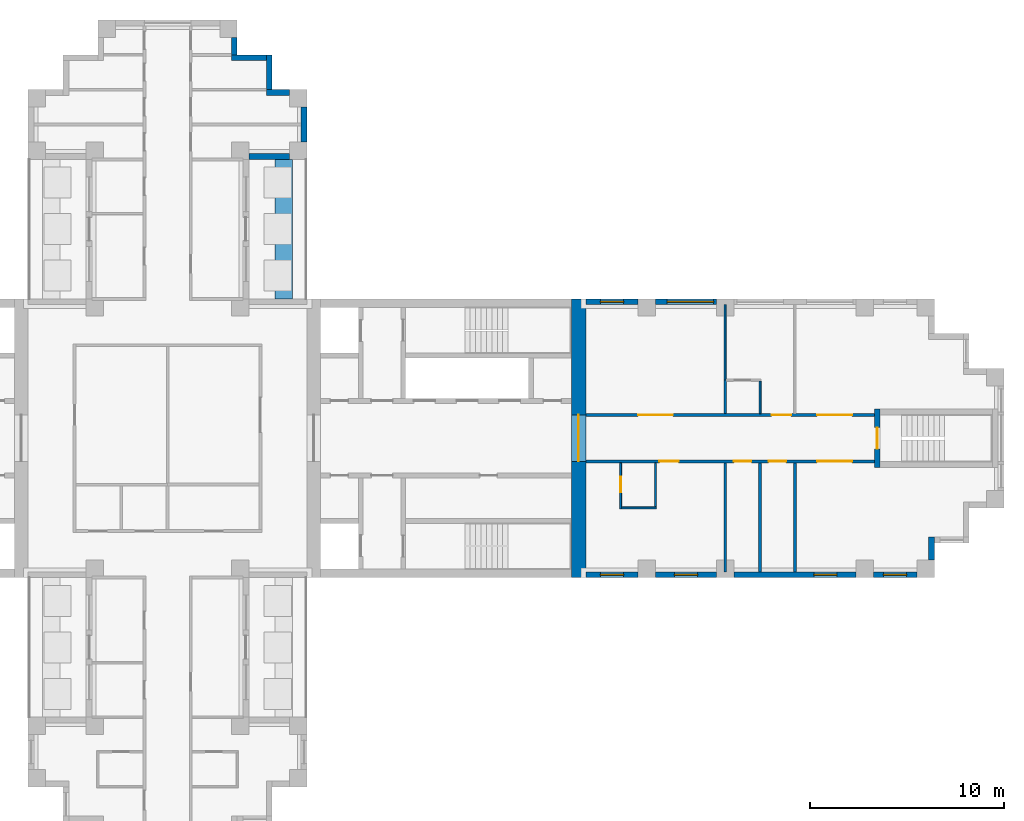
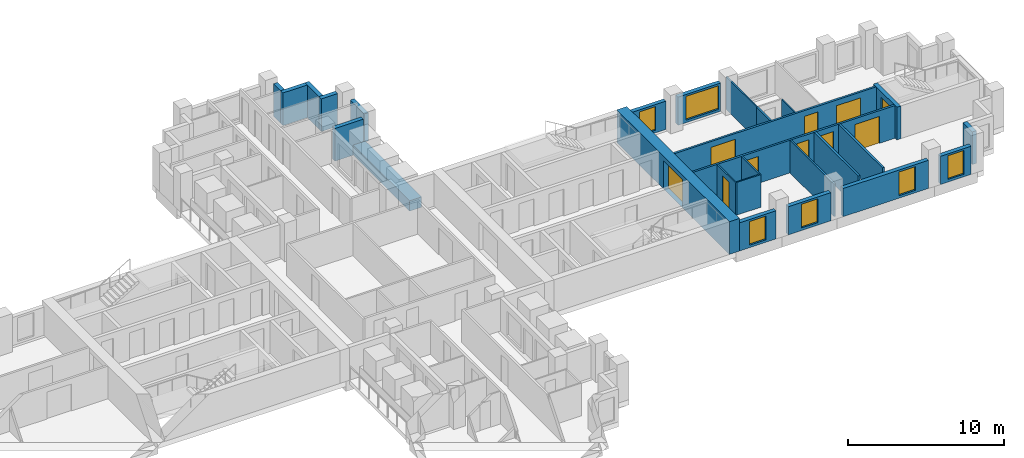
# One storey, part 8 of 12: 27 walls, 10 doors, 6 windows, 16 openings.
"""IFC4 building model written with IfcOpenShell, lengths in metres."""

from ifc_helpers import new_model, si_unit, direction, frame, frame_2d, origin, place, context, subcontext, project, spatial, rectangle, extrude, material, layer, layer_set, type_object, element, fill, save


model = new_model("IFC4")

# Units and contexts
model_context = context("Model", 3, precision=1e-05, world=origin(), true_north=direction((0.0, 1.0)))
body_context = subcontext(model_context, "Body", "Model", "MODEL_VIEW")
ifc_project = project(units=[si_unit("LENGTHUNIT", "METRE"), si_unit("AREAUNIT", "SQUARE_METRE"), si_unit("VOLUMEUNIT", "CUBIC_METRE"), si_unit("PLANEANGLEUNIT", "RADIAN"), si_unit("MASSUNIT", "GRAM", prefix="KILO")], contexts=[model_context])

# Site, building, storey
site_placement = place(None, origin())
site = spatial("IfcSite", under=ifc_project, at=site_placement, CompositionType="ELEMENT")
building_placement = place(site_placement, origin())
building = spatial("IfcBuilding", under=site, at=building_placement, Name="Fustian Cross Tower", CompositionType="ELEMENT")
storey_placement = place(building_placement, frame((0.0, 0.0, 159.300048828125)))
storey = spatial("IfcBuildingStorey", under=building, at=storey_placement, Name="L50", CompositionType="ELEMENT", Elevation=159.300048828125)

# Wall, openings, doors
ifc_material_1 = material(Name="Plasterboard on steel stud", Category="steel")
ifc_layer_1 = layer(ifc_material_1, 0.14990234375)
ifc_layer_set_1 = layer_set([ifc_layer_1], Name="Plasterboard on steel stud")
wall_type_1 = type_object("IfcWallType", Name="COMPARTMENT WALL 150 EI 60", PredefinedType="PARTITIONING", material=ifc_layer_set_1)
wall_1_placement = place(storey_placement, frame((21.60009765625, -1.199951171875, 0.0), z_axis=(0.0, 0.0, 1.0), x_axis=(1.0, 0.0, 0.0)))
wall_1 = element("IfcWall", 1, at=wall_1_placement, inside=storey, type_object=wall_type_1, Name="Partition 45", PredefinedType="PARTITIONING", context=body_context, shape_type="SweptSolid", body=[
    extrude(rectangle(XDim=14.89990234375, YDim=0.14990234375, at=frame_2d((7.449951171875, 0.0))), origin(), (0.0, 0.0, 1.0), 2.550048828125),
])
opening_1_placement = place(wall_1_placement, frame((3.800048828125, 0.0, 0.0)))
opening_1 = element("IfcOpeningElement", 2, at=opening_1_placement, cuts=wall_1, Name="Opening D22011", PredefinedType="OPENING", context=body_context, shape_type="SweptSolid", body=[
    extrude(rectangle(XDim=1.0, YDim=2.10009765625, at=frame_2d((0.5, 1.050048828125))), frame((0.0, 0.0849609375, 0.0), z_axis=(0.0, -1.0, 0.0), x_axis=(1.0, 0.0, 0.0)), (0.0, 0.0, 1.0), 0.169921875),
])
opening_2_placement = place(wall_1_placement, frame((7.64990234375, 0.0, 0.0)))
opening_2 = element("IfcOpeningElement", 3, at=opening_2_placement, cuts=wall_1, Name="Opening D22012", PredefinedType="OPENING", context=body_context, shape_type="SweptSolid", body=[
    extrude(rectangle(XDim=0.89990234375, YDim=2.10009765625, at=frame_2d((0.449951171875, 1.050048828125))), frame((0.0, 0.0849609375, 0.0), z_axis=(0.0, -1.0, 0.0), x_axis=(1.0, 0.0, 0.0)), (0.0, 0.0, 1.0), 0.169921875),
])
opening_3_placement = place(wall_1_placement, frame((9.449951171875, 0.0, 0.0)))
opening_3 = element("IfcOpeningElement", 4, at=opening_3_placement, cuts=wall_1, Name="Opening D22013", PredefinedType="OPENING", context=body_context, shape_type="SweptSolid", body=[
    extrude(rectangle(XDim=0.89990234375, YDim=2.10009765625, at=frame_2d((0.449951171875, 1.050048828125))), frame((0.0, 0.0849609375, 0.0), z_axis=(0.0, -1.0, 0.0), x_axis=(1.0, 0.0, 0.0)), (0.0, 0.0, 1.0), 0.169921875),
])
opening_4_placement = place(wall_1_placement, frame((11.949951171875, 0.0, 0.0)))
opening_4 = element("IfcOpeningElement", 5, at=opening_4_placement, cuts=wall_1, Name="Opening D22014", PredefinedType="OPENING", context=body_context, shape_type="SweptSolid", body=[
    extrude(rectangle(XDim=1.800048828125, YDim=2.10009765625, at=frame_2d((0.89990234375, 1.050048828125))), frame((0.0, 0.0849609375, 0.0), z_axis=(0.0, -1.0, 0.0), x_axis=(1.0, 0.0, 0.0)), (0.0, 0.0, 1.0), 0.169921875),
])
ifc_material_2 = material(Name="Timber fire door set", Category="wood")
door_type_1 = type_object("IfcDoorType", Name="FIRE DOUBLE DOOR 1800 FD30S", OperationType="DOUBLE_DOOR_DOUBLE_SWING", PredefinedType="DOOR", material=ifc_material_2)
door_1_placement = place(opening_4_placement, origin())
door_1 = element("IfcDoor", 6, at=door_1_placement, inside=storey, type_object=door_type_1, Name="Door D22014", OperationType="DOUBLE_DOOR_DOUBLE_SWING", OverallHeight=2.10009765625, OverallWidth=1.800048828125, PredefinedType="DOOR", context=body_context, shape_type="SweptSolid", body=[
    extrude(rectangle(XDim=1.800048828125, YDim=2.10009765625, at=frame_2d((0.89990234375, 1.050048828125))), frame((0.0, 0.02490234375, 0.0), z_axis=(0.0, -1.0, 0.0), x_axis=(1.0, 0.0, 0.0)), (0.0, 0.0, 1.0), 0.050048828125),
])
fill(opening_4, door_1)
ifc_material_3 = material(Name="Timber fire door set", Category="wood")
door_type_2 = type_object("IfcDoorType", Name="FIRE SWING DOOR 1000 FD30S", OperationType="SINGLE_SWING_LEFT", PredefinedType="DOOR", material=ifc_material_3)
door_2_placement = place(opening_1_placement, frame((1.0, 0.0, 0.0), z_axis=(0.0, 0.0, 1.0), x_axis=(-1.0, 0.0, 0.0)))
door_2 = element("IfcDoor", 7, at=door_2_placement, inside=storey, type_object=door_type_2, Name="Door D22011", OperationType="SINGLE_SWING_RIGHT", OverallHeight=2.10009765625, OverallWidth=1.0, PredefinedType="DOOR", context=body_context, shape_type="SweptSolid", body=[
    extrude(rectangle(XDim=1.0, YDim=2.10009765625, at=frame_2d((0.5, 1.050048828125))), frame((0.0, 0.02490234375, 0.0), z_axis=(0.0, -1.0, 0.0), x_axis=(1.0, 0.0, 0.0)), (0.0, 0.0, 1.0), 0.050048828125),
])
fill(opening_1, door_2)
ifc_material_4 = material(Name="Timber fire door set", Category="wood")
door_type_3 = type_object("IfcDoorType", Name="FIRE SWING DOOR 900 FD30S", OperationType="SINGLE_SWING_LEFT", PredefinedType="DOOR", material=ifc_material_4)
door_3_placement = place(opening_2_placement, frame((0.89990234375, 0.0, 0.0), z_axis=(0.0, 0.0, 1.0), x_axis=(-1.0, 0.0, 0.0)))
door_3 = element("IfcDoor", 8, at=door_3_placement, inside=storey, type_object=door_type_3, Name="Door D22012", OperationType="SINGLE_SWING_LEFT", OverallHeight=2.10009765625, OverallWidth=0.89990234375, PredefinedType="DOOR", context=body_context, shape_type="SweptSolid", body=[
    extrude(rectangle(XDim=0.89990234375, YDim=2.10009765625, at=frame_2d((0.449951171875, 1.050048828125))), frame((0.0, 0.02490234375, 0.0), z_axis=(0.0, -1.0, 0.0), x_axis=(1.0, 0.0, 0.0)), (0.0, 0.0, 1.0), 0.050048828125),
])
fill(opening_2, door_3)
door_4_placement = place(opening_3_placement, frame((0.89990234375, 0.0, 0.0), z_axis=(0.0, 0.0, 1.0), x_axis=(-1.0, 0.0, 0.0)))
door_4 = element("IfcDoor", 9, at=door_4_placement, inside=storey, type_object=door_type_3, Name="Door D22013", OperationType="SINGLE_SWING_LEFT", OverallHeight=2.10009765625, OverallWidth=0.89990234375, PredefinedType="DOOR", context=body_context, shape_type="SweptSolid", body=[
    extrude(rectangle(XDim=0.89990234375, YDim=2.10009765625, at=frame_2d((0.449951171875, 1.050048828125))), frame((0.0, 0.02490234375, 0.0), z_axis=(0.0, -1.0, 0.0), x_axis=(1.0, 0.0, 0.0)), (0.0, 0.0, 1.0), 0.050048828125),
])
fill(opening_3, door_4)

wall_2_placement = place(storey_placement, frame((21.60009765625, 1.199951171875, 0.0), z_axis=(0.0, 0.0, 1.0), x_axis=(1.0, 0.0, 0.0)))
wall_2 = element("IfcWall", 10, at=wall_2_placement, inside=storey, type_object=wall_type_1, Name="Partition 46", PredefinedType="PARTITIONING", context=body_context, shape_type="SweptSolid", body=[
    extrude(rectangle(XDim=14.89990234375, YDim=0.14990234375, at=frame_2d((7.449951171875, 0.0))), origin(), (0.0, 0.0, 1.0), 2.550048828125),
])
opening_5_placement = place(wall_2_placement, frame((2.699951171875, 0.0, 0.0)))
opening_5 = element("IfcOpeningElement", 11, at=opening_5_placement, cuts=wall_2, Name="Opening D22006", PredefinedType="OPENING", context=body_context, shape_type="SweptSolid", body=[
    extrude(rectangle(XDim=1.800048828125, YDim=2.10009765625, at=frame_2d((0.89990234375, 1.050048828125))), frame((0.0, 0.0849609375, 0.0), z_axis=(0.0, -1.0, 0.0), x_axis=(1.0, 0.0, 0.0)), (0.0, 0.0, 1.0), 0.169921875),
])
opening_6_placement = place(wall_2_placement, frame((9.60009765625, 0.0, 0.0)))
opening_6 = element("IfcOpeningElement", 12, at=opening_6_placement, cuts=wall_2, Name="Opening D22008", PredefinedType="OPENING", context=body_context, shape_type="SweptSolid", body=[
    extrude(rectangle(XDim=1.0, YDim=2.10009765625, at=frame_2d((0.5, 1.050048828125))), frame((0.0, 0.0849609375, 0.0), z_axis=(0.0, -1.0, 0.0), x_axis=(1.0, 0.0, 0.0)), (0.0, 0.0, 1.0), 0.169921875),
])
opening_7_placement = place(wall_2_placement, frame((11.949951171875, 0.0, 0.0)))
opening_7 = element("IfcOpeningElement", 13, at=opening_7_placement, cuts=wall_2, Name="Opening D22009", PredefinedType="OPENING", context=body_context, shape_type="SweptSolid", body=[
    extrude(rectangle(XDim=1.800048828125, YDim=2.10009765625, at=frame_2d((0.89990234375, 1.050048828125))), frame((0.0, 0.0849609375, 0.0), z_axis=(0.0, -1.0, 0.0), x_axis=(1.0, 0.0, 0.0)), (0.0, 0.0, 1.0), 0.169921875),
])
door_5_placement = place(opening_5_placement, frame((1.800048828125, 0.0, 0.0), z_axis=(0.0, 0.0, 1.0), x_axis=(-1.0, 0.0, 0.0)))
door_5 = element("IfcDoor", 14, at=door_5_placement, inside=storey, type_object=door_type_1, Name="Door D22006", OperationType="DOUBLE_DOOR_DOUBLE_SWING", OverallHeight=2.10009765625, OverallWidth=1.800048828125, PredefinedType="DOOR", context=body_context, shape_type="SweptSolid", body=[
    extrude(rectangle(XDim=1.800048828125, YDim=2.10009765625, at=frame_2d((0.89990234375, 1.050048828125))), frame((0.0, 0.02490234375, 0.0), z_axis=(0.0, -1.0, 0.0), x_axis=(1.0, 0.0, 0.0)), (0.0, 0.0, 1.0), 0.050048828125),
])
fill(opening_5, door_5)
door_6_placement = place(opening_7_placement, frame((1.800048828125, 0.0, 0.0), z_axis=(0.0, 0.0, 1.0), x_axis=(-1.0, 0.0, 0.0)))
door_6 = element("IfcDoor", 15, at=door_6_placement, inside=storey, type_object=door_type_1, Name="Door D22009", OperationType="DOUBLE_DOOR_DOUBLE_SWING", OverallHeight=2.10009765625, OverallWidth=1.800048828125, PredefinedType="DOOR", context=body_context, shape_type="SweptSolid", body=[
    extrude(rectangle(XDim=1.800048828125, YDim=2.10009765625, at=frame_2d((0.89990234375, 1.050048828125))), frame((0.0, 0.02490234375, 0.0), z_axis=(0.0, -1.0, 0.0), x_axis=(1.0, 0.0, 0.0)), (0.0, 0.0, 1.0), 0.050048828125),
])
fill(opening_7, door_6)
door_7_placement = place(opening_6_placement, origin())
door_7 = element("IfcDoor", 16, at=door_7_placement, inside=storey, type_object=door_type_2, Name="Door D22008", OperationType="SINGLE_SWING_RIGHT", OverallHeight=2.10009765625, OverallWidth=1.0, PredefinedType="DOOR", context=body_context, shape_type="SweptSolid", body=[
    extrude(rectangle(XDim=1.0, YDim=2.10009765625, at=frame_2d((0.5, 1.050048828125))), frame((0.0, 0.02490234375, 0.0), z_axis=(0.0, -1.0, 0.0), x_axis=(1.0, 0.0, 0.0)), (0.0, 0.0, 1.0), 0.050048828125),
])
fill(opening_6, door_7)

# Walls
for number, where, z_axis, x_axis, name in (
    (17, (30.60009765625, -6.89990234375, 0.0), (0.0, 0.0, 1.0), (0.0, 1.0, 0.0), "Partition 54"),
    (18, (32.39990234375, -6.89990234375, 0.0), (0.0, 0.0, 1.0), (0.0, 1.0, 0.0), "Partition 56"),
):
    element("IfcWall", number, at=place(storey_placement, frame(where, z_axis=z_axis, x_axis=x_axis)), inside=storey, type_object=wall_type_1, Name=name, PredefinedType="PARTITIONING", context=body_context, shape_type="SweptSolid", body=[
        extrude(rectangle(XDim=5.625, YDim=0.14990234375, at=frame_2d((2.8125, 0.0))), origin(), (0.0, 0.0, 1.0), 2.550048828125),
    ])

# Wall, opening, door
ifc_material_5 = material(Name="Concrete C60/75", Category="concrete")
ifc_layer_2 = layer(ifc_material_5, 0.75)
ifc_layer_set_2 = layer_set([ifc_layer_2], Name="Concrete C60/75")
wall_type_2 = type_object("IfcWallType", Name="CORE END WALL 750 C60/75", PredefinedType="SHEAR", material=ifc_layer_set_2)
wall_3_placement = place(storey_placement, frame((21.22509765625, -7.199951171875, 0.0), z_axis=(0.0, 0.0, 1.0), x_axis=(0.0, 1.0, 0.0)))
wall_3 = element("IfcWall", 19, at=wall_3_placement, inside=storey, type_object=wall_type_2, Name="Core end wall", PredefinedType="SHEAR", context=body_context, shape_type="SweptSolid", body=[
    extrude(rectangle(XDim=14.39990234375, YDim=0.75, at=frame_2d((7.199951171875, 0.0))), origin(), (0.0, 0.0, 1.0), 2.550048828125),
])
opening_8_placement = place(wall_3_placement, frame((6.0, 0.0, 0.0)))
opening_8 = element("IfcOpeningElement", 20, at=opening_8_placement, cuts=wall_3, Name="Opening CD-19-13", PredefinedType="OPENING", context=body_context, shape_type="SweptSolid", body=[
    extrude(rectangle(XDim=2.39990234375, YDim=2.199951171875, at=frame_2d((1.199951171875, 1.10009765625))), frame((0.0, 0.385009765625, 0.0), z_axis=(0.0, -1.0, 0.0), x_axis=(1.0, 0.0, 0.0)), (0.0, 0.0, 1.0), 0.77001953125),
])
ifc_material_6 = material(Name="Steel", Category="steel")
door_type_4 = type_object("IfcDoorType", Name="FIRE DOOR FD30S DOUBLE 2400X2200", OperationType="DOUBLE_DOOR_DOUBLE_SWING", PredefinedType="DOOR", material=ifc_material_6)
door_8_placement = place(opening_8_placement, origin())
door_8 = element("IfcDoor", 21, at=door_8_placement, inside=storey, type_object=door_type_4, Name="Core door CD-19-13", OperationType="DOUBLE_DOOR_DOUBLE_SWING", OverallHeight=2.199951171875, OverallWidth=2.39990234375, PredefinedType="DOOR", context=body_context, shape_type="SweptSolid", body=[
    extrude(rectangle(XDim=2.39990234375, YDim=2.199951171875, at=frame_2d((1.199951171875, 1.10009765625))), frame((0.0, 0.02490234375, 0.0), z_axis=(0.0, -1.0, 0.0), x_axis=(1.0, 0.0, 0.0)), (0.0, 0.0, 1.0), 0.050048828125),
])
fill(opening_8, door_8)

ifc_material_7 = material(Name="Plasterboard on steel stud", Category="steel")
ifc_layer_3 = layer(ifc_material_7, 0.10009765625)
ifc_layer_set_3 = layer_set([ifc_layer_3], Name="Plasterboard on steel stud")
wall_type_3 = type_object("IfcWallType", Name="PARTITION 100 STUD", PredefinedType="PARTITIONING", material=ifc_layer_set_3)
wall_4_placement = place(storey_placement, frame((23.39990234375, -3.64990234375, 0.0), z_axis=(0.0, 0.0, 1.0), x_axis=(0.0, 1.0, 0.0)))
wall_4 = element("IfcWall", 22, at=wall_4_placement, inside=storey, type_object=wall_type_3, Name="Partition 47", PredefinedType="PARTITIONING", context=body_context, shape_type="SweptSolid", body=[
    extrude(rectangle(XDim=2.375, YDim=0.10009765625, at=frame_2d((1.1875, 0.0))), origin(), (0.0, 0.0, 1.0), 2.550048828125),
])
opening_9_placement = place(wall_4_placement, frame((0.85009765625, 0.0, 0.0)))
opening_9 = element("IfcOpeningElement", 23, at=opening_9_placement, cuts=wall_4, Name="Opening D22010", PredefinedType="OPENING", context=body_context, shape_type="SweptSolid", body=[
    extrude(rectangle(XDim=0.800048828125, YDim=2.10009765625, at=frame_2d((0.39990234375, 1.050048828125))), frame((0.0, 0.06005859375, 0.0), z_axis=(0.0, -1.0, 0.0), x_axis=(1.0, 0.0, 0.0)), (0.0, 0.0, 1.0), 0.1201171875),
])
ifc_material_8 = material(Name="Painted timber", Category="wood")
door_type_5 = type_object("IfcDoorType", Name="SWING DOOR 800", OperationType="SINGLE_SWING_LEFT", PredefinedType="DOOR", material=ifc_material_8)
door_9_placement = place(opening_9_placement, frame((0.800048828125, 0.0, 0.0), z_axis=(0.0, 0.0, 1.0), x_axis=(-1.0, 0.0, 0.0)))
door_9 = element("IfcDoor", 24, at=door_9_placement, inside=storey, type_object=door_type_5, Name="Door D22010", OperationType="SINGLE_SWING_RIGHT", OverallHeight=2.10009765625, OverallWidth=0.800048828125, PredefinedType="DOOR", context=body_context, shape_type="SweptSolid", body=[
    extrude(rectangle(XDim=0.800048828125, YDim=2.10009765625, at=frame_2d((0.39990234375, 1.050048828125))), frame((0.0, 0.02490234375, 0.0), z_axis=(0.0, -1.0, 0.0), x_axis=(1.0, 0.0, 0.0)), (0.0, 0.0, 1.0), 0.050048828125),
])
fill(opening_9, door_9)

# Walls
wall_5_placement = place(storey_placement, frame((23.449951171875, -3.60009765625, 0.0), z_axis=(0.0, 0.0, 1.0), x_axis=(1.0, 0.0, 0.0)))
element("IfcWall", 25, at=wall_5_placement, inside=storey, type_object=wall_type_3, Name="Partition 48", PredefinedType="PARTITIONING", context=body_context, shape_type="SweptSolid", body=[
    extrude(rectangle(XDim=1.800048828125, YDim=0.10009765625, at=frame_2d((0.89990234375, 0.0))), origin(), (0.0, 0.0, 1.0), 2.550048828125),
])
wall_6_placement = place(storey_placement, frame((25.199951171875, -3.550048828125, 0.0), z_axis=(0.0, 0.0, 1.0), x_axis=(0.0, 1.0, 0.0)))
element("IfcWall", 26, at=wall_6_placement, inside=storey, type_object=wall_type_3, Name="Partition 49", PredefinedType="PARTITIONING", context=body_context, shape_type="SweptSolid", body=[
    extrude(rectangle(XDim=2.275146484375, YDim=0.10009765625, at=frame_2d((1.1376953125, 0.0))), origin(), (0.0, 0.0, 1.0), 2.550048828125),
])
wall_7_placement = place(storey_placement, frame((28.800048828125, 3.0, 0.0), z_axis=(0.0, 0.0, 1.0), x_axis=(0.0, 1.0, 0.0)))
element("IfcWall", 27, at=wall_7_placement, inside=storey, type_object=wall_type_3, Name="Partition 52", PredefinedType="PARTITIONING", context=body_context, shape_type="SweptSolid", body=[
    extrude(rectangle(XDim=3.89990234375, YDim=0.10009765625, at=frame_2d((1.949951171875, 0.0))), origin(), (0.0, 0.0, 1.0), 2.550048828125),
])
wall_8_placement = place(storey_placement, frame((30.60009765625, 1.27490234375, 0.0), z_axis=(0.0, 0.0, 1.0), x_axis=(0.0, 1.0, 0.0)))
element("IfcWall", 28, at=wall_8_placement, inside=storey, type_object=wall_type_3, Name="Partition 55", PredefinedType="PARTITIONING", context=body_context, shape_type="SweptSolid", body=[
    extrude(rectangle(XDim=1.675048828125, YDim=0.10009765625, at=frame_2d((0.83740234375, 0.0))), origin(), (0.0, 0.0, 1.0), 2.550048828125),
])
ifc_material_9 = material(Name="Concrete C40/50", Category="concrete")
ifc_layer_4 = layer(ifc_material_9, 0.89990234375)
ifc_layer_set_4 = layer_set([ifc_layer_4], Name="Concrete C40/50")
wall_type_4 = type_object("IfcWallType", Name="PK1 PLANTER 900", PredefinedType="PARAPET", material=ifc_layer_set_4)
wall_9_placement = place(storey_placement, frame((6.0, 7.199951171875, 0.0), z_axis=(0.0, 0.0, 1.0), x_axis=(0.0, 1.0, 0.0)))
element("IfcWall", 29, at=wall_9_placement, inside=storey, type_object=wall_type_4, Name="PLANTER", PredefinedType="PARAPET", context=body_context, shape_type="SweptSolid", body=[
    extrude(rectangle(XDim=7.199951171875, YDim=0.89990234375, at=frame_2d((3.60009765625, 0.0))), origin(), (0.0, 0.0, 1.0), 0.800048828125),
])

# Wall, opening, door
ifc_material_10 = material(Name="Concrete C50/60", Category="concrete")
ifc_layer_5 = layer(ifc_material_10, 0.300048828125)
ifc_layer_set_5 = layer_set([ifc_layer_5], Name="Concrete C50/60")
wall_type_5 = type_object("IfcWallType", Name="STAIR ENCLOSURE WALL 300 C50/60", PredefinedType="SHEAR", material=ifc_layer_set_5)
wall_10_placement = place(storey_placement, frame((36.64990234375, -1.5, 0.0), z_axis=(0.0, 0.0, 1.0), x_axis=(0.0, 1.0, 0.0)))
wall_10 = element("IfcWall", 30, at=wall_10_placement, inside=storey, type_object=wall_type_5, Name="Stair enclosure wall", PredefinedType="SHEAR", context=body_context, shape_type="SweptSolid", body=[
    extrude(rectangle(XDim=3.0, YDim=0.300048828125, at=frame_2d((1.5, 0.0))), origin(), (0.0, 0.0, 1.0), 2.550048828125),
])
opening_10_placement = place(wall_10_placement, frame((0.949951171875, 0.0, 0.0)))
opening_10 = element("IfcOpeningElement", 31, at=opening_10_placement, cuts=wall_10, Name="Opening CD-19-31", PredefinedType="OPENING", context=body_context, shape_type="SweptSolid", body=[
    extrude(rectangle(XDim=1.10009765625, YDim=2.10009765625, at=frame_2d((0.550048828125, 1.050048828125))), frame((0.0, 0.159912109375, 0.0), z_axis=(0.0, -1.0, 0.0), x_axis=(1.0, 0.0, 0.0)), (0.0, 0.0, 1.0), 0.320068359375),
])
ifc_material_11 = material(Name="Steel", Category="steel")
door_type_6 = type_object("IfcDoorType", Name="FIRE DOOR FD60S 1100X2100", OperationType="SINGLE_SWING_LEFT", PredefinedType="DOOR", material=ifc_material_11)
door_10_placement = place(opening_10_placement, frame((1.10009765625, 0.0, 0.0), z_axis=(0.0, 0.0, 1.0), x_axis=(-1.0, 0.0, 0.0)))
door_10 = element("IfcDoor", 32, at=door_10_placement, inside=storey, type_object=door_type_6, Name="Core door CD-19-31", OperationType="SINGLE_SWING_RIGHT", OverallHeight=2.10009765625, OverallWidth=1.10009765625, PredefinedType="DOOR", context=body_context, shape_type="SweptSolid", body=[
    extrude(rectangle(XDim=1.10009765625, YDim=2.10009765625, at=frame_2d((0.550048828125, 1.050048828125))), frame((0.0, 0.02490234375, 0.0), z_axis=(0.0, -1.0, 0.0), x_axis=(1.0, 0.0, 0.0)), (0.0, 0.0, 1.0), 0.050048828125),
])
fill(opening_10, door_10)

# Walls
ifc_material_12 = material(Name="Plasterboard on steel stud", Category="steel")
ifc_layer_6 = layer(ifc_material_12, 0.125)
ifc_layer_set_6 = layer_set([ifc_layer_6], Name="Plasterboard on steel stud")
wall_type_6 = type_object("IfcWallType", Name="WET WALL 125 STUD", PredefinedType="PARTITIONING", material=ifc_layer_set_6)
wall_11_placement = place(storey_placement, frame((28.800048828125, -6.89990234375, 0.0), z_axis=(0.0, 0.0, 1.0), x_axis=(0.0, 1.0, 0.0)))
element("IfcWall", 33, at=wall_11_placement, inside=storey, type_object=wall_type_6, Name="Partition 50", PredefinedType="PARTITIONING", context=body_context, shape_type="SweptSolid", body=[
    extrude(rectangle(XDim=5.625, YDim=0.125, at=frame_2d((2.8125, 0.0))), origin(), (0.0, 0.0, 1.0), 2.550048828125),
])
wall_12_placement = place(storey_placement, frame((28.800048828125, 1.27490234375, 0.0), z_axis=(0.0, 0.0, 1.0), x_axis=(0.0, 1.0, 0.0)))
element("IfcWall", 34, at=wall_12_placement, inside=storey, type_object=wall_type_6, Name="Partition 51", PredefinedType="PARTITIONING", context=body_context, shape_type="SweptSolid", body=[
    extrude(rectangle(XDim=1.72509765625, YDim=0.125, at=frame_2d((0.862548828125, 0.0))), origin(), (0.0, 0.0, 1.0), 2.550048828125),
])

# Wall, opening, window
ifc_material_13 = material(Name="Dark aluminium cladding on insulated backing wall", Category="aluminium")
ifc_layer_7 = layer(ifc_material_13, 0.300048828125)
ifc_layer_set_7 = layer_set([ifc_layer_7], Name="Dark aluminium cladding on insulated backing wall")
wall_type_7 = type_object("IfcWallType", Name="XW1 EXTERNAL WALL 300", PredefinedType="SOLIDWALL", material=ifc_layer_set_7)
wall_13_placement = place(storey_placement, frame((21.60009765625, -7.050048828125, 0.0), z_axis=(0.0, 0.0, 1.0), x_axis=(1.0, 0.0, 0.0)))
wall_13 = element("IfcWall", 35, at=wall_13_placement, inside=storey, type_object=wall_type_7, Name="External wall", PredefinedType="SOLIDWALL", context=body_context, shape_type="SweptSolid", body=[
    extrude(rectangle(XDim=2.699951171875, YDim=0.300048828125, at=frame_2d((1.35009765625, 0.0))), origin(), (0.0, 0.0, 1.0), 2.199951171875),
])
opening_11_placement = place(wall_13_placement, frame((0.75, 0.0, 0.199951171875)))
opening_11 = element("IfcOpeningElement", 36, at=opening_11_placement, cuts=wall_13, Name="Opening WN3", PredefinedType="OPENING", context=body_context, shape_type="SweptSolid", body=[
    extrude(rectangle(XDim=1.199951171875, YDim=1.85009765625, at=frame_2d((0.60009765625, 0.925048828125))), frame((0.0, 0.159912109375, 0.0), z_axis=(0.0, -1.0, 0.0), x_axis=(1.0, 0.0, 0.0)), (0.0, 0.0, 1.0), 0.320068359375),
])
ifc_material_14 = material(Name="Dark anodised aluminium and double glazing", Category="aluminium")
window_type_1 = type_object("IfcWindowType", Name="WN3 WINDOW 1200X1850", PartitioningType="SINGLE_PANEL", PredefinedType="WINDOW", material=ifc_material_14)
window_1_placement = place(opening_11_placement, origin())
window_1 = element("IfcWindow", 37, at=window_1_placement, inside=storey, type_object=window_type_1, Name="Window", OverallHeight=1.85009765625, OverallWidth=1.199951171875, PartitioningType="SINGLE_PANEL", PredefinedType="WINDOW", context=body_context, shape_type="SweptSolid", body=[
    extrude(rectangle(XDim=1.199951171875, YDim=1.85009765625, at=frame_2d((0.60009765625, 0.925048828125))), frame((0.0, 0.030029296875, 0.0), z_axis=(0.0, -1.0, 0.0), x_axis=(1.0, 0.0, 0.0)), (0.0, 0.0, 1.0), 0.06005859375),
])
fill(opening_11, window_1)

wall_14_placement = place(storey_placement, frame((25.199951171875, -7.050048828125, 0.0), z_axis=(0.0, 0.0, 1.0), x_axis=(1.0, 0.0, 0.0)))
wall_14 = element("IfcWall", 38, at=wall_14_placement, inside=storey, type_object=wall_type_7, Name="External wall", PredefinedType="SOLIDWALL", context=body_context, shape_type="SweptSolid", body=[
    extrude(rectangle(XDim=3.150146484375, YDim=0.300048828125, at=frame_2d((1.5751953125, 0.0))), origin(), (0.0, 0.0, 1.0), 2.199951171875),
])
opening_12_placement = place(wall_14_placement, frame((0.97509765625, 0.0, 0.199951171875)))
opening_12 = element("IfcOpeningElement", 39, at=opening_12_placement, cuts=wall_14, Name="Opening WN3", PredefinedType="OPENING", context=body_context, shape_type="SweptSolid", body=[
    extrude(rectangle(XDim=1.199951171875, YDim=1.85009765625, at=frame_2d((0.60009765625, 0.925048828125))), frame((0.0, 0.159912109375, 0.0), z_axis=(0.0, -1.0, 0.0), x_axis=(1.0, 0.0, 0.0)), (0.0, 0.0, 1.0), 0.320068359375),
])
window_2_placement = place(opening_12_placement, origin())
window_2 = element("IfcWindow", 40, at=window_2_placement, inside=storey, type_object=window_type_1, Name="Window", OverallHeight=1.85009765625, OverallWidth=1.199951171875, PartitioningType="SINGLE_PANEL", PredefinedType="WINDOW", context=body_context, shape_type="SweptSolid", body=[
    extrude(rectangle(XDim=1.199951171875, YDim=1.85009765625, at=frame_2d((0.60009765625, 0.925048828125))), frame((0.0, 0.030029296875, 0.0), z_axis=(0.0, -1.0, 0.0), x_axis=(1.0, 0.0, 0.0)), (0.0, 0.0, 1.0), 0.06005859375),
])
fill(opening_12, window_2)

wall_15_placement = place(storey_placement, frame((29.25, -7.050048828125, 0.0), z_axis=(0.0, 0.0, 1.0), x_axis=(1.0, 0.0, 0.0)))
wall_15 = element("IfcWall", 41, at=wall_15_placement, inside=storey, type_object=wall_type_7, Name="External wall", PredefinedType="SOLIDWALL", context=body_context, shape_type="SweptSolid", body=[
    extrude(rectangle(XDim=6.300048828125, YDim=0.300048828125, at=frame_2d((3.14990234375, 0.0))), origin(), (0.0, 0.0, 1.0), 2.199951171875),
])
opening_13_placement = place(wall_15_placement, frame((4.125, 0.0, 0.199951171875)))
opening_13 = element("IfcOpeningElement", 42, at=opening_13_placement, cuts=wall_15, Name="Opening WN3", PredefinedType="OPENING", context=body_context, shape_type="SweptSolid", body=[
    extrude(rectangle(XDim=1.199951171875, YDim=1.85009765625, at=frame_2d((0.60009765625, 0.925048828125))), frame((0.0, 0.159912109375, 0.0), z_axis=(0.0, -1.0, 0.0), x_axis=(1.0, 0.0, 0.0)), (0.0, 0.0, 1.0), 0.320068359375),
])
window_3_placement = place(opening_13_placement, origin())
window_3 = element("IfcWindow", 43, at=window_3_placement, inside=storey, type_object=window_type_1, Name="Window", OverallHeight=1.85009765625, OverallWidth=1.199951171875, PartitioningType="SINGLE_PANEL", PredefinedType="WINDOW", context=body_context, shape_type="SweptSolid", body=[
    extrude(rectangle(XDim=1.199951171875, YDim=1.85009765625, at=frame_2d((0.60009765625, 0.925048828125))), frame((0.0, 0.030029296875, 0.0), z_axis=(0.0, -1.0, 0.0), x_axis=(1.0, 0.0, 0.0)), (0.0, 0.0, 1.0), 0.06005859375),
])
fill(opening_13, window_3)

wall_16_placement = place(storey_placement, frame((36.449951171875, -7.050048828125, 0.0), z_axis=(0.0, 0.0, 1.0), x_axis=(1.0, 0.0, 0.0)))
wall_16 = element("IfcWall", 44, at=wall_16_placement, inside=storey, type_object=wall_type_7, Name="External wall", PredefinedType="SOLIDWALL", context=body_context, shape_type="SweptSolid", body=[
    extrude(rectangle(XDim=2.25, YDim=0.300048828125, at=frame_2d((1.125, 0.0))), origin(), (0.0, 0.0, 1.0), 2.199951171875),
])
opening_14_placement = place(wall_16_placement, frame((0.52490234375, 0.0, 0.199951171875)))
opening_14 = element("IfcOpeningElement", 45, at=opening_14_placement, cuts=wall_16, Name="Opening WN3", PredefinedType="OPENING", context=body_context, shape_type="SweptSolid", body=[
    extrude(rectangle(XDim=1.199951171875, YDim=1.85009765625, at=frame_2d((0.60009765625, 0.925048828125))), frame((0.0, 0.159912109375, 0.0), z_axis=(0.0, -1.0, 0.0), x_axis=(1.0, 0.0, 0.0)), (0.0, 0.0, 1.0), 0.320068359375),
])
window_4_placement = place(opening_14_placement, origin())
window_4 = element("IfcWindow", 46, at=window_4_placement, inside=storey, type_object=window_type_1, Name="Window", OverallHeight=1.85009765625, OverallWidth=1.199951171875, PartitioningType="SINGLE_PANEL", PredefinedType="WINDOW", context=body_context, shape_type="SweptSolid", body=[
    extrude(rectangle(XDim=1.199951171875, YDim=1.85009765625, at=frame_2d((0.60009765625, 0.925048828125))), frame((0.0, 0.030029296875, 0.0), z_axis=(0.0, -1.0, 0.0), x_axis=(1.0, 0.0, 0.0)), (0.0, 0.0, 1.0), 0.06005859375),
])
fill(opening_14, window_4)

# Wall
wall_17_placement = place(storey_placement, frame((39.449951171875, -6.300048828125, 0.0), z_axis=(0.0, 0.0, 1.0), x_axis=(0.0, 1.0, 0.0)))
element("IfcWall", 47, at=wall_17_placement, inside=storey, type_object=wall_type_7, Name="External wall", PredefinedType="SOLIDWALL", context=body_context, shape_type="SweptSolid", body=[
    extrude(rectangle(XDim=1.199951171875, YDim=0.300048828125, at=frame_2d((0.60009765625, 0.0))), origin(), (0.0, 0.0, 1.0), 2.550048828125),
])

# Wall, opening, window
wall_18_placement = place(storey_placement, frame((28.35009765625, 7.050048828125, 0.0), z_axis=(0.0, 0.0, 1.0), x_axis=(-1.0, 0.0, 0.0)))
wall_18 = element("IfcWall", 48, at=wall_18_placement, inside=storey, type_object=wall_type_7, Name="External wall", PredefinedType="SOLIDWALL", context=body_context, shape_type="SweptSolid", body=[
    extrude(rectangle(XDim=3.150146484375, YDim=0.300048828125, at=frame_2d((1.5751953125, 0.0))), origin(), (0.0, 0.0, 1.0), 2.199951171875),
])
opening_15_placement = place(wall_18_placement, frame((0.14990234375, 0.0, 0.199951171875)))
opening_15 = element("IfcOpeningElement", 49, at=opening_15_placement, cuts=wall_18, Name="Opening WN1", PredefinedType="OPENING", context=body_context, shape_type="SweptSolid", body=[
    extrude(rectangle(XDim=2.39990234375, YDim=1.85009765625, at=frame_2d((1.199951171875, 0.925048828125))), frame((0.0, 0.159912109375, 0.0), z_axis=(0.0, -1.0, 0.0), x_axis=(1.0, 0.0, 0.0)), (0.0, 0.0, 1.0), 0.320068359375),
])
ifc_material_15 = material(Name="Dark anodised aluminium and double glazing", Category="aluminium")
window_type_2 = type_object("IfcWindowType", Name="WN1 WINDOW 2400X1850", PartitioningType="SINGLE_PANEL", PredefinedType="WINDOW", material=ifc_material_15)
window_5_placement = place(opening_15_placement, origin())
window_5 = element("IfcWindow", 50, at=window_5_placement, inside=storey, type_object=window_type_2, Name="Window", OverallHeight=1.85009765625, OverallWidth=2.39990234375, PartitioningType="SINGLE_PANEL", PredefinedType="WINDOW", context=body_context, shape_type="SweptSolid", body=[
    extrude(rectangle(XDim=2.39990234375, YDim=1.85009765625, at=frame_2d((1.199951171875, 0.925048828125))), frame((0.0, 0.030029296875, 0.0), z_axis=(0.0, -1.0, 0.0), x_axis=(1.0, 0.0, 0.0)), (0.0, 0.0, 1.0), 0.06005859375),
])
fill(opening_15, window_5)

wall_19_placement = place(storey_placement, frame((24.300048828125, 7.050048828125, 0.0), z_axis=(0.0, 0.0, 1.0), x_axis=(-1.0, 0.0, 0.0)))
wall_19 = element("IfcWall", 51, at=wall_19_placement, inside=storey, type_object=wall_type_7, Name="External wall", PredefinedType="SOLIDWALL", context=body_context, shape_type="SweptSolid", body=[
    extrude(rectangle(XDim=2.699951171875, YDim=0.300048828125, at=frame_2d((1.35009765625, 0.0))), origin(), (0.0, 0.0, 1.0), 2.199951171875),
])
opening_16_placement = place(wall_19_placement, frame((0.75, 0.0, 0.199951171875)))
opening_16 = element("IfcOpeningElement", 52, at=opening_16_placement, cuts=wall_19, Name="Opening WN3", PredefinedType="OPENING", context=body_context, shape_type="SweptSolid", body=[
    extrude(rectangle(XDim=1.199951171875, YDim=1.85009765625, at=frame_2d((0.60009765625, 0.925048828125))), frame((0.0, 0.159912109375, 0.0), z_axis=(0.0, -1.0, 0.0), x_axis=(1.0, 0.0, 0.0)), (0.0, 0.0, 1.0), 0.320068359375),
])
window_6_placement = place(opening_16_placement, origin())
window_6 = element("IfcWindow", 53, at=window_6_placement, inside=storey, type_object=window_type_1, Name="Window", OverallHeight=1.85009765625, OverallWidth=1.199951171875, PartitioningType="SINGLE_PANEL", PredefinedType="WINDOW", context=body_context, shape_type="SweptSolid", body=[
    extrude(rectangle(XDim=1.199951171875, YDim=1.85009765625, at=frame_2d((0.60009765625, 0.925048828125))), frame((0.0, 0.030029296875, 0.0), z_axis=(0.0, -1.0, 0.0), x_axis=(1.0, 0.0, 0.0)), (0.0, 0.0, 1.0), 0.06005859375),
])
fill(opening_16, window_6)

# Walls
wall_20_placement = place(storey_placement, frame((4.199951171875, 14.550048828125, 0.0), z_axis=(0.0, 0.0, 1.0), x_axis=(1.0, 0.0, 0.0)))
element("IfcWall", 54, at=wall_20_placement, inside=storey, type_object=wall_type_7, Name="External wall", PredefinedType="SOLIDWALL", context=body_context, shape_type="SweptSolid", body=[
    extrude(rectangle(XDim=2.10009765625, YDim=0.300048828125, at=frame_2d((1.050048828125, 0.0))), origin(), (0.0, 0.0, 1.0), 2.550048828125),
])
wall_21_placement = place(storey_placement, frame((7.050048828125, 15.300048828125, 0.0), z_axis=(0.0, 0.0, 1.0), x_axis=(0.0, 1.0, 0.0)))
element("IfcWall", 55, at=wall_21_placement, inside=storey, type_object=wall_type_7, Name="External wall", PredefinedType="SOLIDWALL", context=body_context, shape_type="SweptSolid", body=[
    extrude(rectangle(XDim=1.800048828125, YDim=0.300048828125, at=frame_2d((0.89990234375, 0.0))), origin(), (0.0, 0.0, 1.0), 2.199951171875),
])
wall_22_placement = place(storey_placement, frame((6.300048828125, 17.85009765625, 0.0), z_axis=(0.0, 0.0, 1.0), x_axis=(-1.0, 0.0, 0.0)))
element("IfcWall", 56, at=wall_22_placement, inside=storey, type_object=wall_type_7, Name="External wall", PredefinedType="SOLIDWALL", context=body_context, shape_type="SweptSolid", body=[
    extrude(rectangle(XDim=1.199951171875, YDim=0.300048828125, at=frame_2d((0.60009765625, 0.0))), origin(), (0.0, 0.0, 1.0), 2.550048828125),
])
for number, where, z_axis, x_axis, name in (
    (57, (5.25, 18.0, 0.0), (0.0, 0.0, 1.0), (0.0, 1.0, 0.0), "External wall"),
    (58, (5.10009765625, 19.64990234375, 0.0), (0.0, 0.0, 1.0), (-1.0, 0.0, 0.0), "External wall"),
):
    element("IfcWall", number, at=place(storey_placement, frame(where, z_axis=z_axis, x_axis=x_axis)), inside=storey, type_object=wall_type_7, Name=name, PredefinedType="SOLIDWALL", context=body_context, shape_type="SweptSolid", body=[
        extrude(rectangle(XDim=1.800048828125, YDim=0.300048828125, at=frame_2d((0.89990234375, 0.0))), origin(), (0.0, 0.0, 1.0), 2.550048828125),
    ])
wall_23_placement = place(storey_placement, frame((3.449951171875, 19.800048828125, 0.0), z_axis=(0.0, 0.0, 1.0), x_axis=(0.0, 1.0, 0.0)))
element("IfcWall", 59, at=wall_23_placement, inside=storey, type_object=wall_type_7, Name="External wall", PredefinedType="SOLIDWALL", context=body_context, shape_type="SweptSolid", body=[
    extrude(rectangle(XDim=0.89990234375, YDim=0.300048828125, at=frame_2d((0.449951171875, 0.0))), origin(), (0.0, 0.0, 1.0), 2.550048828125),
])

save(model, "model.ifc")
